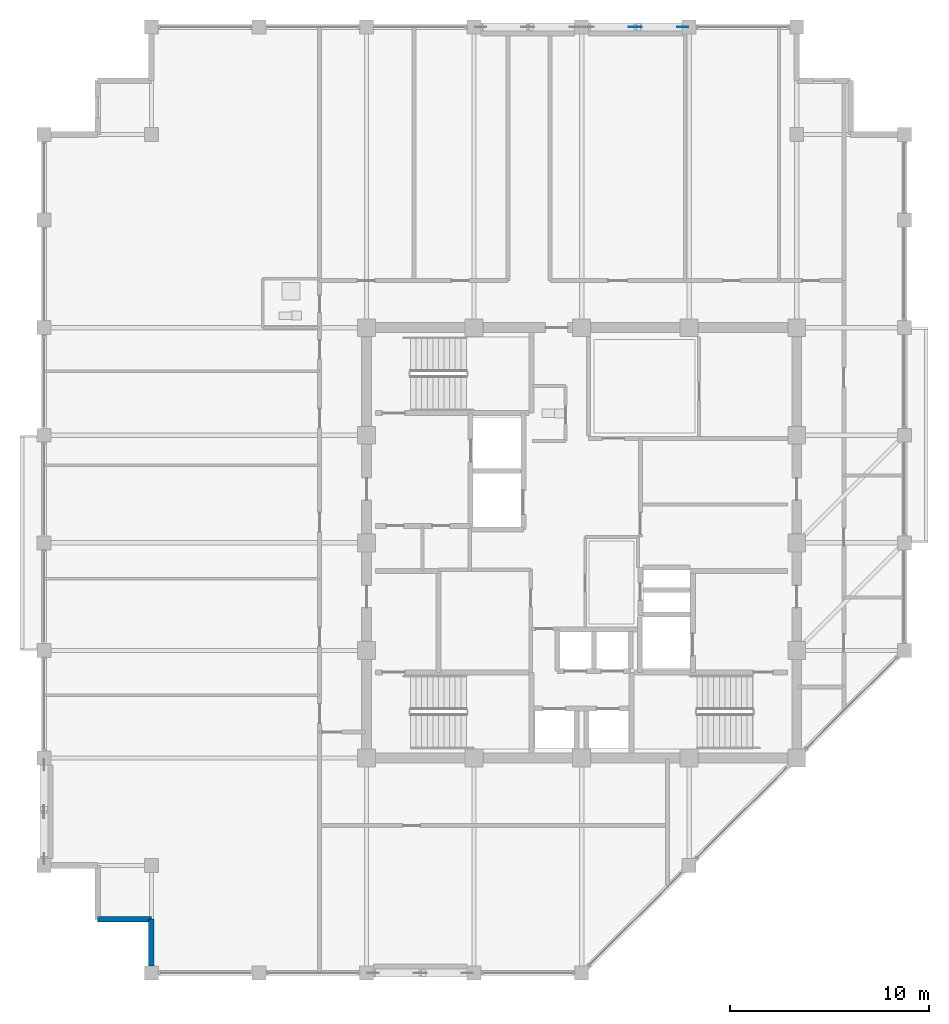
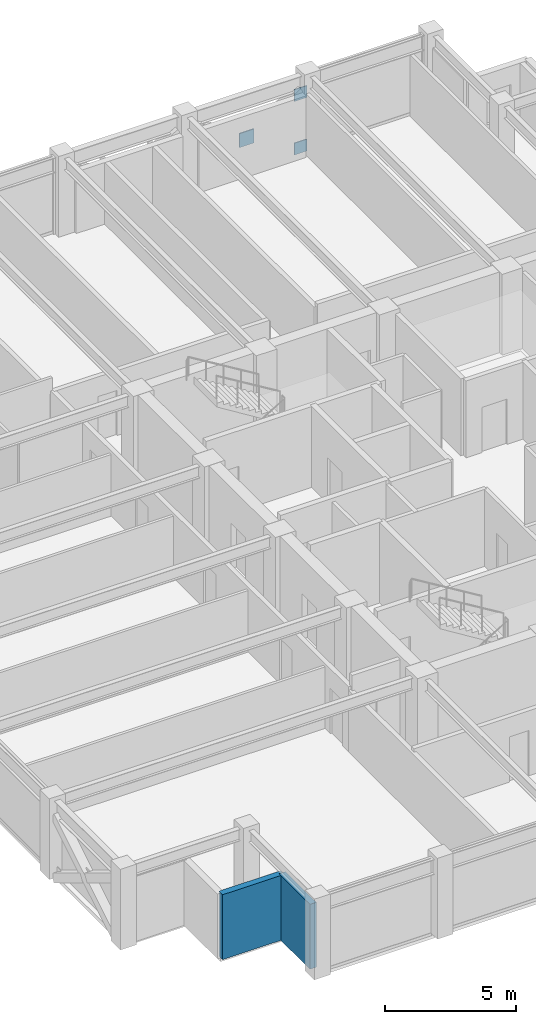
# One storey, part 24 of 30: 3 plates, 2 walls.
"""IFC4 building model written with IfcOpenShell, lengths in metres."""

import ifcopenshell
import ifcopenshell.guid

model = None  # the IFC model being written
_history = None  # IfcOwnerHistory: only IFC2X3 demands one
_inside = {}  # id of a spatial element -> (the spatial element, [elements in it])
_under = {}  # id of a project, library or spatial element -> (it, [spatial elements below it])
_declared = {}  # id of a project -> (the project, [libraries it declares])
_typed = {}  # id of a type object -> (the type object, [elements of that type])
_made_of = {}  # id of a material, layer set ... -> (it, [elements and type objects made of it])


def new_model(schema):
    """Start an empty IFC model of exactly this schema.

    Asked for "IFC4X3", IfcOpenShell would pick the latest addendum, in which some entities
    have other attributes; the version numbers below select the first issue.
    IFC2X3 requires an IfcOwnerHistory on every rooted entity: one is made here for all.
    """
    global model, _history
    if schema == "IFC4X3":
        model = ifcopenshell.file(schema_version=(4, 3, 0, 0))
    else:
        model = ifcopenshell.file(schema=schema)
    _inside.clear()
    _under.clear()
    _declared.clear()
    _typed.clear()
    _made_of.clear()
    _history = None
    if model.schema == "IFC2X3":
        org = make("IfcOrganization", Name="unknown")
        user = make(
            "IfcPersonAndOrganization",
            ThePerson=make("IfcPerson", FamilyName="unknown"),
            TheOrganization=org,
        )
        app = make(
            "IfcApplication",
            ApplicationDeveloper=org,
            Version="unknown",
            ApplicationFullName="unknown",
            ApplicationIdentifier="unknown",
        )
        _history = make(
            "IfcOwnerHistory",
            OwningUser=user,
            OwningApplication=app,
            ChangeAction="ADDED",
            CreationDate=0,
        )
    return model


def make(cls, **values):
    """One entity of the class cls with the attributes given. An attribute that is None is left unset."""
    return model.create_entity(
        cls, **{name: value for name, value in values.items() if value is not None}
    )


def rooted(cls, **values):
    """An entity with a GlobalId (a new one), such as an element, a storey or a relation."""
    return make(cls, GlobalId=ifcopenshell.guid.new(), OwnerHistory=_history, **values)


def si_unit(unit_type, name, prefix=None):
    """IfcSIUnit, for example si_unit("LENGTHUNIT", "METRE", prefix="MILLI")."""
    return make("IfcSIUnit", UnitType=unit_type, Prefix=prefix, Name=name)


def assignment(units):
    """IfcUnitAssignment: the units of a project."""
    return None if units is None else make("IfcUnitAssignment", Units=units)


def point(xyz):
    """IfcCartesianPoint."""
    return None if xyz is None else make("IfcCartesianPoint", Coordinates=xyz)


def direction(xyz):
    """IfcDirection."""
    return None if xyz is None else make("IfcDirection", DirectionRatios=xyz)


def frame(location, z_axis=None, x_axis=None):
    """IfcAxis2Placement3D, a coordinate frame: its origin and axes. An axis left out is left unset."""
    return make(
        "IfcAxis2Placement3D",
        Location=point(location),
        Axis=direction(z_axis),
        RefDirection=direction(x_axis),
    )


def frame_2d(location, x_axis=None):
    """IfcAxis2Placement2D, a coordinate frame in the plane: its origin and x axis."""
    return make(
        "IfcAxis2Placement2D", Location=point(location), RefDirection=direction(x_axis)
    )


def origin():
    """The frame at (0, 0, 0) with its axes left unset."""
    return frame((0.0, 0.0, 0.0))


def origin_2d():
    """The frame at (0, 0) in the plane with its x axis left unset."""
    return frame_2d((0.0, 0.0))


def place(relative_to, where):
    """IfcLocalPlacement: puts the frame where relative to a parent placement (None: the world)."""
    return make(
        "IfcLocalPlacement", PlacementRelTo=relative_to, RelativePlacement=where
    )


def context(
    kind, dimensions, precision=None, world=None, true_north=None, identifier=None
):
    """IfcGeometricRepresentationContext, for example the 3D "Model" context."""
    return make(
        "IfcGeometricRepresentationContext",
        ContextIdentifier=identifier,
        ContextType=kind,
        CoordinateSpaceDimension=dimensions,
        Precision=precision,
        WorldCoordinateSystem=world,
        TrueNorth=true_north,
    )


def subcontext(parent, identifier, kind, view, scale=None):
    """IfcGeometricRepresentationSubContext, for example "Body" below "Model"."""
    return make(
        "IfcGeometricRepresentationSubContext",
        ContextIdentifier=identifier,
        ContextType=kind,
        ParentContext=parent,
        TargetScale=scale,
        TargetView=view,
    )


def project(units=None, contexts=None):
    """IfcProject with its units and contexts."""
    return rooted(
        "IfcProject",
        Name="project",
        RepresentationContexts=contexts,
        UnitsInContext=assignment(units),
    )


def spatial(cls, under=None, at=None, **own):
    """A site, building, storey or space (cls), placed at a placement, below another one or the project."""
    s = rooted(cls, ObjectPlacement=at, **own)
    if under is not None:
        _under.setdefault(under.id(), (under, []))[1].append(s)
    return s


def profile(cls, at=None, kind="AREA", **sizes):
    """A parametric profile (cls). Its sizes go by their IFC names, for example OverallWidth=200.0."""
    return make(cls, ProfileType=kind, Position=at, **sizes)


def rectangle(**sizes):
    """IfcRectangleProfileDef."""
    return profile("IfcRectangleProfileDef", **sizes)


def extrude(swept, where, along, depth):
    """IfcExtrudedAreaSolid: the profile swept, set in the frame where, extruded along a direction by depth."""
    return make(
        "IfcExtrudedAreaSolid",
        SweptArea=swept,
        Position=where,
        ExtrudedDirection=direction(along),
        Depth=depth,
    )


def shape(context_of_items, identifier, shape_type, items):
    """IfcShapeRepresentation: the items that make up one representation, for example the "Body"."""
    return make(
        "IfcShapeRepresentation",
        ContextOfItems=context_of_items,
        RepresentationIdentifier=identifier,
        RepresentationType=shape_type,
        Items=items,
    )


def material(Name=None, Category=None):
    """IfcMaterial."""
    return make("IfcMaterial", Name=Name, Category=Category)


def layer(
    of_material, thickness, ventilated=None, Name=None, Category=None, Priority=None
):
    """IfcMaterialLayer: one layer of a wall or slab, of a material (None: an air gap)."""
    return make(
        "IfcMaterialLayer",
        Material=of_material,
        LayerThickness=thickness,
        IsVentilated=ventilated,
        Name=Name,
        Category=Category,
        Priority=Priority,
    )


def layer_set(layers, Name=None):
    """IfcMaterialLayerSet."""
    return make("IfcMaterialLayerSet", MaterialLayers=layers, LayerSetName=Name)


def made_of(thing, what):
    """Note that an element or type object is made of a material, layer set ...; save() writes the relation."""
    if what is not None:
        _made_of.setdefault(what.id(), (what, []))[1].append(thing)
    return thing


def type_object(cls, material=None, **own):
    """A type object (cls), such as IfcWallType, which elements share."""
    return made_of(rooted(cls, **own), material)


def element(
    cls,
    number,
    at=None,
    inside=None,
    cuts=None,
    type_object=None,
    material=None,
    context=None,
    identifier="Body",
    shape_type=None,
    held_by="IfcProductDefinitionShape",
    body=None,
    shapes=None,
    **own,
):
    """One element of the class cls, such as IfcWall. Its Tag is "e" and its number.

    at: its placement. inside: the storey or other place that contains it. cuts: it is an
    opening in that element (IfcRelVoidsElement). A single representation is given by context,
    identifier, shape_type and body (its items); several are given by shapes. held_by: the class
    of the entity that holds the representations. save() writes the other relations.
    """
    e = rooted(cls, Tag="e%d" % number, ObjectPlacement=at, **own)
    if body is not None:
        shapes = [shape(context, identifier, shape_type, body)]
    if shapes is not None:
        e.Representation = make(held_by, Representations=shapes)
    if inside is not None:
        _inside.setdefault(inside.id(), (inside, []))[1].append(e)
    if cuts is not None:
        rooted(
            "IfcRelVoidsElement", RelatingBuildingElement=cuts, RelatedOpeningElement=e
        )
    if type_object is not None:
        _typed.setdefault(type_object.id(), (type_object, []))[1].append(e)
    return made_of(e, material)


def aggregate(whole, parts):
    """IfcRelAggregates: a whole, such as a stair, and the parts it consists of."""
    return rooted("IfcRelAggregates", RelatingObject=whole, RelatedObjects=parts)


def save(model, path):
    """Write the relations noted so far, then the file.

    IfcRelAggregates (storeys below a building ...), IfcRelContainedInSpatialStructure (elements
    in a storey), IfcRelDefinesByType, IfcRelAssociatesMaterial and IfcRelDeclares: one each for
    every whole, place, type object, material and project.
    """
    for whole, parts in _under.values():
        aggregate(whole, parts)
    for where, things in _inside.values():
        rooted(
            "IfcRelContainedInSpatialStructure",
            RelatedElements=things,
            RelatingStructure=where,
        )
    for kind, things in _typed.values():
        rooted("IfcRelDefinesByType", RelatedObjects=things, RelatingType=kind)
    for what, things in _made_of.values():
        rooted("IfcRelAssociatesMaterial", RelatedObjects=things, RelatingMaterial=what)
    for by, libraries in _declared.values():
        rooted("IfcRelDeclares", RelatingContext=by, RelatedDefinitions=libraries)
    model.write(path)


model = new_model("IFC4")

# Units and contexts
model_context = context("Model", 3, precision=1e-05, world=origin(), true_north=direction((0.0, 1.0)))
body_context = subcontext(model_context, "Body", "Model", "MODEL_VIEW")
ifc_project = project(units=[si_unit("LENGTHUNIT", "METRE"), si_unit("AREAUNIT", "SQUARE_METRE"), si_unit("VOLUMEUNIT", "CUBIC_METRE"), si_unit("PLANEANGLEUNIT", "RADIAN"), si_unit("MASSUNIT", "GRAM", prefix="KILO")], contexts=[model_context])

# Site, building, storey
site_placement = place(None, origin())
site = spatial("IfcSite", under=ifc_project, at=site_placement, CompositionType="ELEMENT")
building_placement = place(site_placement, origin())
building = spatial("IfcBuilding", under=site, at=building_placement, Name="Surkhivell Harbour Commons", CompositionType="ELEMENT")
storey_placement = place(building_placement, frame((0.0, 0.0, 281.25)))
storey = spatial("IfcBuildingStorey", under=building, at=storey_placement, Name="L73", CompositionType="ELEMENT", Elevation=281.25)

# Plates
ifc_material_1 = material(Name="Steel S460", Category="steel")
ifc_layer_1 = layer(ifc_material_1, 0.035888671875)
ifc_layer_set_1 = layer_set([ifc_layer_1], Name="Steel S460")
plate_type_1 = type_object("IfcPlateType", Name="PLT-GUS-550", PredefinedType="USERDEFINED", material=ifc_layer_set_1)
for number, where, z_axis, x_axis, name in (
    (1, (5.06494140625, 25.89990234375, -0.07470703125), (0.0, 0.0, 1.0), (1.0, 0.0, 0.0), "L73 Perimeter Mega-Brace MB- Corner Gusset N2-2"),
    (2, (5.06494140625, 25.89990234375, 2.41357421875), (0.0, 0.0, 1.0), (1.0, 0.0, 0.0), "L73 Perimeter Mega-Brace MB- Corner Gusset N2-4"),
):
    element("IfcPlate", number, at=place(storey_placement, frame(where, z_axis=z_axis, x_axis=x_axis)), inside=storey, type_object=plate_type_1, Name=name, ObjectType="GUSSET_PLATE", PredefinedType="USERDEFINED", context=body_context, shape_type="SweptSolid", body=[
        extrude(rectangle(XDim=0.550048828125, YDim=0.035888671875, at=origin_2d()), origin(), (0.0, 0.0, 1.0), 0.550048828125),
    ])
ifc_layer_2 = layer(ifc_material_1, 0.044921875)
ifc_layer_set_2 = layer_set([ifc_layer_2], Name="Steel S460")
plate_type_2 = type_object("IfcPlateType", Name="PLT-GUS-650", PredefinedType="USERDEFINED", material=ifc_layer_set_2)
plate_placement = place(storey_placement, frame((2.699951171875, 25.89990234375, 1.11962890625), z_axis=(0.0, 0.0, 1.0), x_axis=(1.0, 0.0, 0.0)))
element("IfcPlate", 3, at=plate_placement, inside=storey, type_object=plate_type_2, Name="L73 Perimeter Mega-Brace MB- Central Crossing Gusset N2", ObjectType="GUSSET_PLATE", PredefinedType="USERDEFINED", context=body_context, shape_type="SweptSolid", body=[
    extrude(rectangle(XDim=0.64990234375, YDim=0.044921875, at=origin_2d()), origin(), (0.0, 0.0, 1.0), 0.64990234375),
])

# Walls
ifc_material_2 = material(Name="Terracotta-clad reinforced concrete C45/55", Category="masonry")
ifc_layer_3 = layer(ifc_material_2, 0.280029296875)
ifc_layer_set_3 = layer_set([ifc_layer_3], Name="Terracotta-clad reinforced concrete C45/55")
wall_type = type_object("IfcWallType", Name="WAL-EXT-TER280", PredefinedType="STANDARD", material=ifc_layer_set_3)
wall_1_placement = place(storey_placement, frame((-24.300048828125, -18.89990234375, 0.0), z_axis=(0.0, 0.0, 1.0), x_axis=(1.0, 0.0, 0.0)))
element("IfcWall", 4, at=wall_1_placement, inside=storey, type_object=wall_type, Name="L73 Serrated Corner Facade Wall 15", PredefinedType="STANDARD", context=body_context, shape_type="SweptSolid", body=[
    extrude(rectangle(XDim=2.699951171875, YDim=0.280029296875, at=frame_2d((1.35009765625, 0.0))), origin(), (0.0, 0.0, 1.0), 3.012939453125),
])
wall_2_placement = place(storey_placement, frame((-21.60009765625, -18.89990234375, 0.0), z_axis=(0.0, 0.0, 1.0), x_axis=(0.0, -1.0, 0.0)))
element("IfcWall", 5, at=wall_2_placement, inside=storey, type_object=wall_type, Name="L73 Serrated Corner Facade Wall 16", PredefinedType="STANDARD", context=body_context, shape_type="SweptSolid", body=[
    extrude(rectangle(XDim=2.35205078125, YDim=0.280029296875, at=frame_2d((1.176025390625, 0.0))), origin(), (0.0, 0.0, 1.0), 3.012939453125),
])

save(model, "model.ifc")
